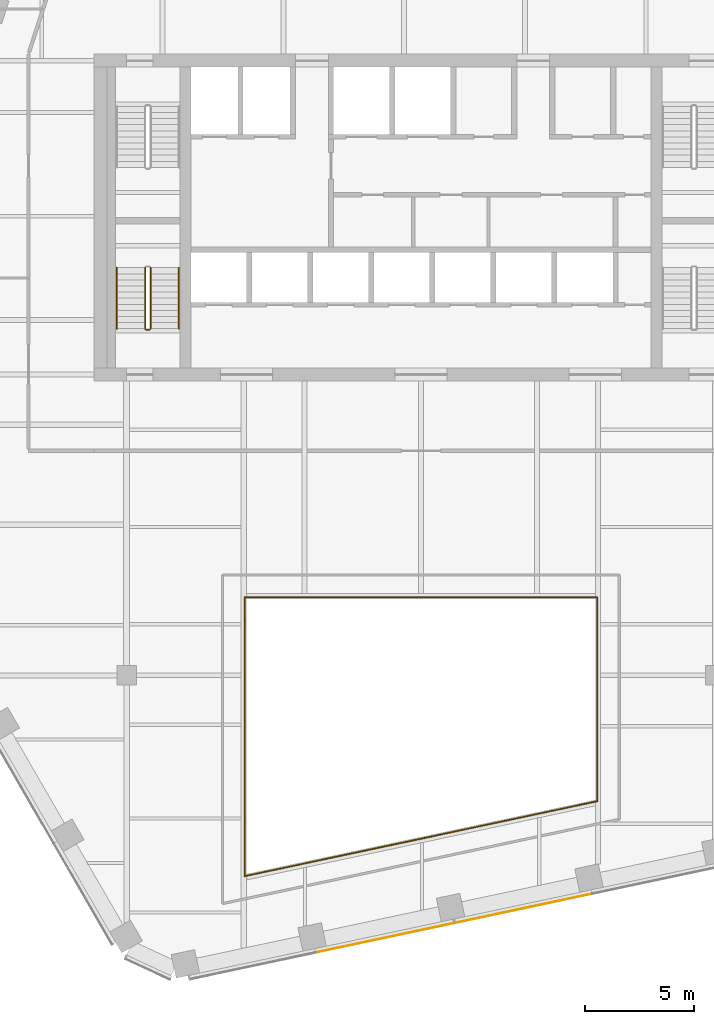
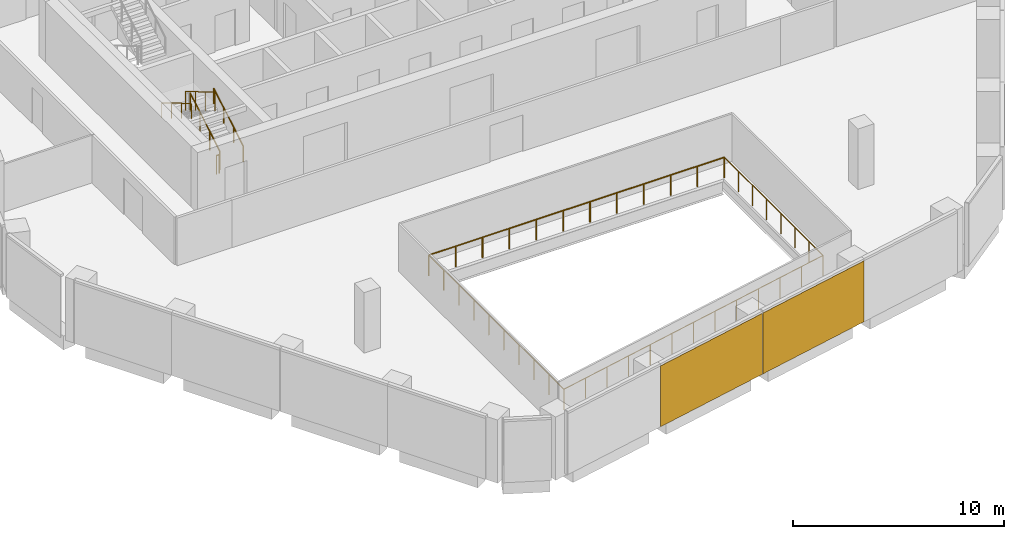
# One storey, part 12 of 15: 9 railings, 2 coverings, 1 element without a shape of its own.
"""IFC4 building model written with IfcOpenShell, lengths in metres."""

import ifcopenshell
import ifcopenshell.guid

model = None  # the IFC model being written
_history = None  # IfcOwnerHistory: only IFC2X3 demands one
_inside = {}  # id of a spatial element -> (the spatial element, [elements in it])
_under = {}  # id of a project, library or spatial element -> (it, [spatial elements below it])
_declared = {}  # id of a project -> (the project, [libraries it declares])
_typed = {}  # id of a type object -> (the type object, [elements of that type])
_made_of = {}  # id of a material, layer set ... -> (it, [elements and type objects made of it])


def new_model(schema):
    """Start an empty IFC model of exactly this schema.

    Asked for "IFC4X3", IfcOpenShell would pick the latest addendum, in which some entities
    have other attributes; the version numbers below select the first issue.
    IFC2X3 requires an IfcOwnerHistory on every rooted entity: one is made here for all.
    """
    global model, _history
    if schema == "IFC4X3":
        model = ifcopenshell.file(schema_version=(4, 3, 0, 0))
    else:
        model = ifcopenshell.file(schema=schema)
    _inside.clear()
    _under.clear()
    _declared.clear()
    _typed.clear()
    _made_of.clear()
    _history = None
    if model.schema == "IFC2X3":
        org = make("IfcOrganization", Name="unknown")
        user = make(
            "IfcPersonAndOrganization",
            ThePerson=make("IfcPerson", FamilyName="unknown"),
            TheOrganization=org,
        )
        app = make(
            "IfcApplication",
            ApplicationDeveloper=org,
            Version="unknown",
            ApplicationFullName="unknown",
            ApplicationIdentifier="unknown",
        )
        _history = make(
            "IfcOwnerHistory",
            OwningUser=user,
            OwningApplication=app,
            ChangeAction="ADDED",
            CreationDate=0,
        )
    return model


def make(cls, **values):
    """One entity of the class cls with the attributes given. An attribute that is None is left unset."""
    return model.create_entity(
        cls, **{name: value for name, value in values.items() if value is not None}
    )


def rooted(cls, **values):
    """An entity with a GlobalId (a new one), such as an element, a storey or a relation."""
    return make(cls, GlobalId=ifcopenshell.guid.new(), OwnerHistory=_history, **values)


def si_unit(unit_type, name, prefix=None):
    """IfcSIUnit, for example si_unit("LENGTHUNIT", "METRE", prefix="MILLI")."""
    return make("IfcSIUnit", UnitType=unit_type, Prefix=prefix, Name=name)


def assignment(units):
    """IfcUnitAssignment: the units of a project."""
    return None if units is None else make("IfcUnitAssignment", Units=units)


def point(xyz):
    """IfcCartesianPoint."""
    return None if xyz is None else make("IfcCartesianPoint", Coordinates=xyz)


def direction(xyz):
    """IfcDirection."""
    return None if xyz is None else make("IfcDirection", DirectionRatios=xyz)


def frame(location, z_axis=None, x_axis=None):
    """IfcAxis2Placement3D, a coordinate frame: its origin and axes. An axis left out is left unset."""
    return make(
        "IfcAxis2Placement3D",
        Location=point(location),
        Axis=direction(z_axis),
        RefDirection=direction(x_axis),
    )


def frame_2d(location, x_axis=None):
    """IfcAxis2Placement2D, a coordinate frame in the plane: its origin and x axis."""
    return make(
        "IfcAxis2Placement2D", Location=point(location), RefDirection=direction(x_axis)
    )


def origin():
    """The frame at (0, 0, 0) with its axes left unset."""
    return frame((0.0, 0.0, 0.0))


def origin_2d():
    """The frame at (0, 0) in the plane with its x axis left unset."""
    return frame_2d((0.0, 0.0))


def place(relative_to, where):
    """IfcLocalPlacement: puts the frame where relative to a parent placement (None: the world)."""
    return make(
        "IfcLocalPlacement", PlacementRelTo=relative_to, RelativePlacement=where
    )


def context(
    kind, dimensions, precision=None, world=None, true_north=None, identifier=None
):
    """IfcGeometricRepresentationContext, for example the 3D "Model" context."""
    return make(
        "IfcGeometricRepresentationContext",
        ContextIdentifier=identifier,
        ContextType=kind,
        CoordinateSpaceDimension=dimensions,
        Precision=precision,
        WorldCoordinateSystem=world,
        TrueNorth=true_north,
    )


def subcontext(parent, identifier, kind, view, scale=None):
    """IfcGeometricRepresentationSubContext, for example "Body" below "Model"."""
    return make(
        "IfcGeometricRepresentationSubContext",
        ContextIdentifier=identifier,
        ContextType=kind,
        ParentContext=parent,
        TargetScale=scale,
        TargetView=view,
    )


def project(units=None, contexts=None):
    """IfcProject with its units and contexts."""
    return rooted(
        "IfcProject",
        Name="project",
        RepresentationContexts=contexts,
        UnitsInContext=assignment(units),
    )


def spatial(cls, under=None, at=None, **own):
    """A site, building, storey or space (cls), placed at a placement, below another one or the project."""
    s = rooted(cls, ObjectPlacement=at, **own)
    if under is not None:
        _under.setdefault(under.id(), (under, []))[1].append(s)
    return s


def profile(cls, at=None, kind="AREA", **sizes):
    """A parametric profile (cls). Its sizes go by their IFC names, for example OverallWidth=200.0."""
    return make(cls, ProfileType=kind, Position=at, **sizes)


def rectangle(**sizes):
    """IfcRectangleProfileDef."""
    return profile("IfcRectangleProfileDef", **sizes)


def circle(**sizes):
    """IfcCircleProfileDef."""
    return profile("IfcCircleProfileDef", **sizes)


def extrude(swept, where, along, depth):
    """IfcExtrudedAreaSolid: the profile swept, set in the frame where, extruded along a direction by depth."""
    return make(
        "IfcExtrudedAreaSolid",
        SweptArea=swept,
        Position=where,
        ExtrudedDirection=direction(along),
        Depth=depth,
    )


def shape(context_of_items, identifier, shape_type, items):
    """IfcShapeRepresentation: the items that make up one representation, for example the "Body"."""
    return make(
        "IfcShapeRepresentation",
        ContextOfItems=context_of_items,
        RepresentationIdentifier=identifier,
        RepresentationType=shape_type,
        Items=items,
    )


def material(Name=None, Category=None):
    """IfcMaterial."""
    return make("IfcMaterial", Name=Name, Category=Category)


def layer(
    of_material, thickness, ventilated=None, Name=None, Category=None, Priority=None
):
    """IfcMaterialLayer: one layer of a wall or slab, of a material (None: an air gap)."""
    return make(
        "IfcMaterialLayer",
        Material=of_material,
        LayerThickness=thickness,
        IsVentilated=ventilated,
        Name=Name,
        Category=Category,
        Priority=Priority,
    )


def layer_set(layers, Name=None):
    """IfcMaterialLayerSet."""
    return make("IfcMaterialLayerSet", MaterialLayers=layers, LayerSetName=Name)


def made_of(thing, what):
    """Note that an element or type object is made of a material, layer set ...; save() writes the relation."""
    if what is not None:
        _made_of.setdefault(what.id(), (what, []))[1].append(thing)
    return thing


def type_object(cls, material=None, **own):
    """A type object (cls), such as IfcWallType, which elements share."""
    return made_of(rooted(cls, **own), material)


def element(
    cls,
    number,
    at=None,
    inside=None,
    cuts=None,
    type_object=None,
    material=None,
    context=None,
    identifier="Body",
    shape_type=None,
    held_by="IfcProductDefinitionShape",
    body=None,
    shapes=None,
    **own,
):
    """One element of the class cls, such as IfcWall. Its Tag is "e" and its number.

    at: its placement. inside: the storey or other place that contains it. cuts: it is an
    opening in that element (IfcRelVoidsElement). A single representation is given by context,
    identifier, shape_type and body (its items); several are given by shapes. held_by: the class
    of the entity that holds the representations. save() writes the other relations.
    """
    e = rooted(cls, Tag="e%d" % number, ObjectPlacement=at, **own)
    if body is not None:
        shapes = [shape(context, identifier, shape_type, body)]
    if shapes is not None:
        e.Representation = make(held_by, Representations=shapes)
    if inside is not None:
        _inside.setdefault(inside.id(), (inside, []))[1].append(e)
    if cuts is not None:
        rooted(
            "IfcRelVoidsElement", RelatingBuildingElement=cuts, RelatedOpeningElement=e
        )
    if type_object is not None:
        _typed.setdefault(type_object.id(), (type_object, []))[1].append(e)
    return made_of(e, material)


def aggregate(whole, parts):
    """IfcRelAggregates: a whole, such as a stair, and the parts it consists of."""
    return rooted("IfcRelAggregates", RelatingObject=whole, RelatedObjects=parts)


def save(model, path):
    """Write the relations noted so far, then the file.

    IfcRelAggregates (storeys below a building ...), IfcRelContainedInSpatialStructure (elements
    in a storey), IfcRelDefinesByType, IfcRelAssociatesMaterial and IfcRelDeclares: one each for
    every whole, place, type object, material and project.
    """
    for whole, parts in _under.values():
        aggregate(whole, parts)
    for where, things in _inside.values():
        rooted(
            "IfcRelContainedInSpatialStructure",
            RelatedElements=things,
            RelatingStructure=where,
        )
    for kind, things in _typed.values():
        rooted("IfcRelDefinesByType", RelatedObjects=things, RelatingType=kind)
    for what, things in _made_of.values():
        rooted("IfcRelAssociatesMaterial", RelatedObjects=things, RelatingMaterial=what)
    for by, libraries in _declared.values():
        rooted("IfcRelDeclares", RelatingContext=by, RelatedDefinitions=libraries)
    model.write(path)


model = new_model("IFC4")

# Units and contexts
model_context = context("Model", 3, precision=1e-05, world=origin(), true_north=direction((0.0, 1.0)))
body_context = subcontext(model_context, "Body", "Model", "MODEL_VIEW")
ifc_project = project(units=[si_unit("LENGTHUNIT", "METRE"), si_unit("AREAUNIT", "SQUARE_METRE"), si_unit("VOLUMEUNIT", "CUBIC_METRE"), si_unit("PLANEANGLEUNIT", "RADIAN"), si_unit("MASSUNIT", "GRAM", prefix="KILO")], contexts=[model_context])

# Site, building, storey
site_placement = place(None, origin())
site = spatial("IfcSite", under=ifc_project, at=site_placement, CompositionType="ELEMENT")
building_placement = place(site_placement, origin())
building = spatial("IfcBuilding", under=site, at=building_placement, Name="Isthmus Gate Tower", CompositionType="ELEMENT")
storey_placement = place(building_placement, frame((0.0, 0.0, 223.60009765625)))
storey = spatial("IfcBuildingStorey", under=building, at=storey_placement, Name="L56", CompositionType="ELEMENT", Elevation=223.60009765625)

# Railings
ifc_material_1 = material(Name="Laminated toughened glass balustrade with steel rail", Category="steel")
railing_type_1 = type_object("IfcRailingType", Name="ATRIUM GUARD GLASS BALUSTRADE 1200", PredefinedType="GUARDRAIL", material=ifc_material_1)
railing_1_placement = place(storey_placement, frame((-8.080078125, -22.7099609375, 0.0)))
element("IfcRailing", 1, at=railing_1_placement, inside=storey, type_object=railing_type_1, Name="L56 atrium guard", PredefinedType="GUARDRAIL", context=body_context, shape_type="SweptSolid", body=[
    extrude(circle(Radius=0.02490234375, at=origin_2d()), frame((0.0, 0.0, 1.1748046875), z_axis=(0.0, 1.0, 0.0), x_axis=(-1.0, 0.0, 0.0)), (0.0, 0.0, 1.0), 12.7900390625),
    extrude(circle(Radius=0.02490234375, at=origin_2d()), origin(), (0.0, 0.0, 1.0), 1.14990234375),
    extrude(circle(Radius=0.02490234375, at=origin_2d()), frame((0.0, 1.421142578125, 0.0)), (0.0, 0.0, 1.0), 1.14990234375),
    extrude(circle(Radius=0.02490234375, at=origin_2d()), frame((0.0, 2.84228515625, 0.0)), (0.0, 0.0, 1.0), 1.14990234375),
    extrude(circle(Radius=0.02490234375, at=origin_2d()), frame((0.0, 4.263427734375, 0.0)), (0.0, 0.0, 1.0), 1.14990234375),
    extrude(circle(Radius=0.02490234375, at=origin_2d()), frame((0.0, 5.6845703125, 0.0)), (0.0, 0.0, 1.0), 1.14990234375),
    extrude(circle(Radius=0.02490234375, at=origin_2d()), frame((0.0, 7.10546875, 0.0)), (0.0, 0.0, 1.0), 1.14990234375),
    extrude(circle(Radius=0.02490234375, at=origin_2d()), frame((0.0, 8.526611328125, 0.0)), (0.0, 0.0, 1.0), 1.14990234375),
    extrude(circle(Radius=0.02490234375, at=origin_2d()), frame((0.0, 9.94775390625, 0.0)), (0.0, 0.0, 1.0), 1.14990234375),
    extrude(circle(Radius=0.02490234375, at=origin_2d()), frame((0.0, 11.368896484375, 0.0)), (0.0, 0.0, 1.0), 1.14990234375),
    extrude(circle(Radius=0.02490234375, at=origin_2d()), frame((0.0, 12.7900390625, 0.0)), (0.0, 0.0, 1.0), 1.14990234375),
])
railing_2_placement = place(storey_placement, frame((-8.080078125, -9.919921875, 0.0)))
element("IfcRailing", 2, at=railing_2_placement, inside=storey, type_object=railing_type_1, Name="L56 atrium guard", PredefinedType="GUARDRAIL", context=body_context, shape_type="SweptSolid", body=[
    extrude(circle(Radius=0.02490234375, at=origin_2d()), frame((0.0, 0.0, 1.1748046875), z_axis=(1.0, 0.0, 0.0), x_axis=(0.0, 1.0, 0.0)), (0.0, 0.0, 1.0), 16.16015625),
    extrude(circle(Radius=0.02490234375, at=origin_2d()), origin(), (0.0, 0.0, 1.0), 1.14990234375),
    extrude(circle(Radius=0.02490234375, at=origin_2d()), frame((1.468994140625, 0.0, 0.0)), (0.0, 0.0, 1.0), 1.14990234375),
    extrude(circle(Radius=0.02490234375, at=origin_2d()), frame((2.938232421875, 0.0, 0.0)), (0.0, 0.0, 1.0), 1.14990234375),
    extrude(circle(Radius=0.02490234375, at=origin_2d()), frame((4.4072265625, 0.0, 0.0)), (0.0, 0.0, 1.0), 1.14990234375),
    extrude(circle(Radius=0.02490234375, at=origin_2d()), frame((5.87646484375, 0.0, 0.0)), (0.0, 0.0, 1.0), 1.14990234375),
    extrude(circle(Radius=0.02490234375, at=origin_2d()), frame((7.345458984375, 0.0, 0.0)), (0.0, 0.0, 1.0), 1.14990234375),
    extrude(circle(Radius=0.02490234375, at=origin_2d()), frame((8.814697265625, 0.0, 0.0)), (0.0, 0.0, 1.0), 1.14990234375),
    extrude(circle(Radius=0.02490234375, at=origin_2d()), frame((10.28369140625, 0.0, 0.0)), (0.0, 0.0, 1.0), 1.14990234375),
    extrude(circle(Radius=0.02490234375, at=origin_2d()), frame((11.7529296875, 0.0, 0.0)), (0.0, 0.0, 1.0), 1.14990234375),
    extrude(circle(Radius=0.02490234375, at=origin_2d()), frame((13.221923828125, 0.0, 0.0)), (0.0, 0.0, 1.0), 1.14990234375),
    extrude(circle(Radius=0.02490234375, at=origin_2d()), frame((14.691162109375, 0.0, 0.0)), (0.0, 0.0, 1.0), 1.14990234375),
    extrude(circle(Radius=0.02490234375, at=origin_2d()), frame((16.16015625, 0.0, 0.0)), (0.0, 0.0, 1.0), 1.14990234375),
])
railing_3_placement = place(storey_placement, frame((8.080078125, -9.919921875, 0.0)))
element("IfcRailing", 3, at=railing_3_placement, inside=storey, type_object=railing_type_1, Name="L56 atrium guard", PredefinedType="GUARDRAIL", context=body_context, shape_type="SweptSolid", body=[
    extrude(circle(Radius=0.02490234375, at=origin_2d()), frame((0.0, 0.0, 1.1748046875), z_axis=(0.0, -1.0, 0.0), x_axis=(1.0, 0.0, 0.0)), (0.0, 0.0, 1.0), 9.35498046875),
    extrude(circle(Radius=0.02490234375, at=origin_2d()), origin(), (0.0, 0.0, 1.0), 1.14990234375),
    extrude(circle(Radius=0.02490234375, at=origin_2d()), frame((0.0, -1.33642578125, 0.0)), (0.0, 0.0, 1.0), 1.14990234375),
    extrude(circle(Radius=0.02490234375, at=origin_2d()), frame((0.0, -2.6728515625, 0.0)), (0.0, 0.0, 1.0), 1.14990234375),
    extrude(circle(Radius=0.02490234375, at=origin_2d()), frame((0.0, -4.00927734375, 0.0)), (0.0, 0.0, 1.0), 1.14990234375),
    extrude(circle(Radius=0.02490234375, at=origin_2d()), frame((0.0, -5.345703125, 0.0)), (0.0, 0.0, 1.0), 1.14990234375),
    extrude(circle(Radius=0.02490234375, at=origin_2d()), frame((0.0, -6.68212890625, 0.0)), (0.0, 0.0, 1.0), 1.14990234375),
    extrude(circle(Radius=0.02490234375, at=origin_2d()), frame((0.0, -8.0185546875, 0.0)), (0.0, 0.0, 1.0), 1.14990234375),
    extrude(circle(Radius=0.02490234375, at=origin_2d()), frame((0.0, -9.35498046875, 0.0)), (0.0, 0.0, 1.0), 1.14990234375),
])
railing_4_placement = place(storey_placement, frame((8.080078125, -19.27490234375, 0.0)))
element("IfcRailing", 4, at=railing_4_placement, inside=storey, type_object=railing_type_1, Name="L56 atrium guard", PredefinedType="GUARDRAIL", context=body_context, shape_type="SweptSolid", body=[
    extrude(circle(Radius=0.02490234375, at=origin_2d()), frame((0.0, 0.0, 1.1748046875), z_axis=(-0.978146230105, -0.207918139013, 0.0), x_axis=(0.207918139013, -0.978146230105, 0.0)), (0.0, 0.0, 1.0), 16.521240234375),
    extrude(circle(Radius=0.02490234375, at=origin_2d()), origin(), (0.0, 0.0, 1.0), 1.14990234375),
    extrude(circle(Radius=0.02490234375, at=origin_2d()), frame((-1.3466796875, -0.2861328125, 0.0)), (0.0, 0.0, 1.0), 1.14990234375),
    extrude(circle(Radius=0.02490234375, at=origin_2d()), frame((-2.693359375, -0.572509765625, 0.0)), (0.0, 0.0, 1.0), 1.14990234375),
    extrude(circle(Radius=0.02490234375, at=origin_2d()), frame((-4.0400390625, -0.85888671875, 0.0)), (0.0, 0.0, 1.0), 1.14990234375),
    extrude(circle(Radius=0.02490234375, at=origin_2d()), frame((-5.38671875, -1.14501953125, 0.0)), (0.0, 0.0, 1.0), 1.14990234375),
    extrude(circle(Radius=0.02490234375, at=origin_2d()), frame((-6.7333984375, -1.43115234375, 0.0)), (0.0, 0.0, 1.0), 1.14990234375),
    extrude(circle(Radius=0.02490234375, at=origin_2d()), frame((-8.080078125, -1.717529296875, 0.0)), (0.0, 0.0, 1.0), 1.14990234375),
    extrude(circle(Radius=0.02490234375, at=origin_2d()), frame((-9.4267578125, -2.00390625, 0.0)), (0.0, 0.0, 1.0), 1.14990234375),
    extrude(circle(Radius=0.02490234375, at=origin_2d()), frame((-10.7734375, -2.2900390625, 0.0)), (0.0, 0.0, 1.0), 1.14990234375),
    extrude(circle(Radius=0.02490234375, at=origin_2d()), frame((-12.1201171875, -2.576171875, 0.0)), (0.0, 0.0, 1.0), 1.14990234375),
    extrude(circle(Radius=0.02490234375, at=origin_2d()), frame((-13.466796875, -2.862548828125, 0.0)), (0.0, 0.0, 1.0), 1.14990234375),
    extrude(circle(Radius=0.02490234375, at=origin_2d()), frame((-14.8134765625, -3.14892578125, 0.0)), (0.0, 0.0, 1.0), 1.14990234375),
    extrude(circle(Radius=0.02490234375, at=origin_2d()), frame((-16.16015625, -3.43505859375, 0.0)), (0.0, 0.0, 1.0), 1.14990234375),
])

# Curtain wall, coverings
ifc_material_2 = material(Name="Aluminium, pale champagne anodised", Category="aluminium")
ifc_layer_1 = layer(ifc_material_2, 0.199951171875)
ifc_layer_set_1 = layer_set([ifc_layer_1], Name="CW-1 UNITISED CURTAIN WALL 200 DEEP")
curtain_wall_type = type_object("IfcCurtainWallType", Name="CW-1 UNITISED CURTAIN WALL 200 DEEP", PredefinedType="NOTDEFINED", material=ifc_layer_set_1)
curtain_wall_placement = place(storey_placement, origin())
curtain_wall = element("IfcCurtainWall", 5, at=curtain_wall_placement, inside=storey, type_object=curtain_wall_type, Name="CW-1 S L56", PredefinedType="NOTDEFINED")
ifc_material_3 = material(Name="Aluminium composite panel, pale champagne anodised", Category="aluminium")
ifc_layer_2 = layer(ifc_material_3, 0.031982421875)
ifc_layer_set_2 = layer_set([ifc_layer_2], Name="CW-1 PALE METAL PANEL 32")
covering_type = type_object("IfcCoveringType", Name="CW-1 PALE METAL PANEL 32", PredefinedType="CLADDING", material=ifc_layer_set_2)
covering_1_placement = place(storey_placement, frame((-1.66259765625, -25.54150390625, 0.0), z_axis=(0.0, 0.0, 1.0), x_axis=(0.978147600734, 0.207911690818, 0.0)))
covering_1 = element("IfcCovering", 6, at=covering_1_placement, type_object=covering_type, Name="CW-1 pale metal panel", PredefinedType="CLADDING", context=body_context, shape_type="SweptSolid", body=[
    extrude(rectangle(XDim=6.491943359375, YDim=0.031982421875, at=origin_2d()), origin(), (0.0, 0.0, 1.0), 3.52001953125),
])
covering_2_placement = place(storey_placement, frame((4.716796875, -24.185546875, 0.0), z_axis=(0.0, 0.0, 1.0), x_axis=(0.978147600734, 0.207911690818, 0.0)))
covering_2 = element("IfcCovering", 7, at=covering_2_placement, type_object=covering_type, Name="CW-1 pale metal panel", PredefinedType="CLADDING", context=body_context, shape_type="SweptSolid", body=[
    extrude(rectangle(XDim=6.431884765625, YDim=0.031982421875, at=origin_2d()), origin(), (0.0, 0.0, 1.0), 3.52001953125),
])
aggregate(curtain_wall, [covering_1, covering_2])

# Railings
ifc_material_4 = material(Name="Stainless steel balustrade", Category="steel")
railing_type_2 = type_object("IfcRailingType", Name="STAIR GUARD 1100", PredefinedType="GUARDRAIL", material=ifc_material_4)
railing_5_placement = place(storey_placement, frame((-12.39990234375, 2.39990234375, 0.165771484375)))
element("IfcRailing", 8, at=railing_5_placement, inside=storey, type_object=railing_type_2, Name="L56 ST7 stair guard 1", PredefinedType="GUARDRAIL", context=body_context, shape_type="SweptSolid", body=[
    extrude(circle(Radius=0.02392578125, at=origin_2d()), frame((0.0, 0.0, 1.076171875), z_axis=(0.0, 0.860306154799, 0.50977771628), x_axis=(-1.0, 0.0, 0.0)), (0.0, 0.0, 1.0), 3.254638671875),
    extrude(circle(Radius=0.02099609375, at=origin_2d()), origin(), (0.0, 0.0, 1.0), 1.052001953125),
    extrude(circle(Radius=0.02099609375, at=origin_2d()), frame((0.0, 0.933349609375, 0.552978515625)), (0.0, 0.0, 1.0), 1.052001953125),
    extrude(circle(Radius=0.02099609375, at=origin_2d()), frame((0.0, 1.86669921875, 1.106201171875)), (0.0, 0.0, 1.0), 1.052001953125),
    extrude(circle(Radius=0.02099609375, at=origin_2d()), frame((0.0, 2.800048828125, 1.6591796875)), (0.0, 0.0, 1.0), 1.052001953125),
])
railing_6_placement = place(storey_placement, frame((-12.64990234375, 5.199951171875, 1.99072265625)))
element("IfcRailing", 9, at=railing_6_placement, inside=storey, type_object=railing_type_2, Name="L56 ST7 stair guard 3", PredefinedType="GUARDRAIL", context=body_context, shape_type="SweptSolid", body=[
    extrude(circle(Radius=0.02392578125, at=origin_2d()), frame((0.0, 0.0, 1.076171875), z_axis=(0.0, -0.860306154799, 0.50977771628), x_axis=(1.0, 0.0, 0.0)), (0.0, 0.0, 1.0), 3.254638671875),
    extrude(circle(Radius=0.02099609375, at=origin_2d()), origin(), (0.0, 0.0, 1.0), 1.052001953125),
    extrude(circle(Radius=0.02099609375, at=origin_2d()), frame((0.0, -0.933349609375, 0.552978515625)), (0.0, 0.0, 1.0), 1.052001953125),
    extrude(circle(Radius=0.02099609375, at=origin_2d()), frame((0.0, -1.86669921875, 1.106201171875)), (0.0, 0.0, 1.0), 1.052001953125),
    extrude(circle(Radius=0.02099609375, at=origin_2d()), frame((0.0, -2.800048828125, 1.6591796875)), (0.0, 0.0, 1.0), 1.052001953125),
])
railing_7_placement = place(storey_placement, frame((-12.449951171875, 2.35009765625, 0.0)))
element("IfcRailing", 10, at=railing_7_placement, inside=storey, type_object=railing_type_2, Name="L56 ST7 stair guard 4", PredefinedType="GUARDRAIL", context=body_context, shape_type="SweptSolid", body=[
    extrude(circle(Radius=0.02392578125, at=origin_2d()), frame((0.0, 0.0, 1.076171875), z_axis=(-1.0, 0.0, 0.0), x_axis=(0.0, -1.0, 0.0)), (0.0, 0.0, 1.0), 0.150146484375),
    extrude(circle(Radius=0.02099609375, at=origin_2d()), origin(), (0.0, 0.0, 1.0), 1.052001953125),
    extrude(circle(Radius=0.02099609375, at=origin_2d()), frame((-0.150146484375, 0.0, 0.0)), (0.0, 0.0, 1.0), 1.052001953125),
])
ifc_material_5 = material(Name="Stainless steel handrail", Category="steel")
railing_type_3 = type_object("IfcRailingType", Name="STAIR HANDRAIL 900", PredefinedType="HANDRAIL", material=ifc_material_5)
railing_8_placement = place(storey_placement, frame((-11.10009765625, 2.39990234375, 0.165771484375)))
element("IfcRailing", 11, at=railing_8_placement, inside=storey, type_object=railing_type_3, Name="L56 ST7 stair handrail 1", PredefinedType="HANDRAIL", context=body_context, shape_type="SweptSolid", body=[
    extrude(circle(Radius=0.02392578125, at=origin_2d()), frame((0.0, 0.0, 0.8759765625), z_axis=(0.0, 0.860306154799, 0.50977771628), x_axis=(-1.0, 0.0, 0.0)), (0.0, 0.0, 1.0), 3.254638671875),
    extrude(circle(Radius=0.02099609375, at=origin_2d()), origin(), (0.0, 0.0, 1.0), 0.851806640625),
    extrude(circle(Radius=0.02099609375, at=origin_2d()), frame((0.0, 0.933349609375, 0.552978515625)), (0.0, 0.0, 1.0), 0.851806640625),
    extrude(circle(Radius=0.02099609375, at=origin_2d()), frame((0.0, 1.86669921875, 1.106201171875)), (0.0, 0.0, 1.0), 0.851806640625),
    extrude(circle(Radius=0.02099609375, at=origin_2d()), frame((0.0, 2.800048828125, 1.6591796875)), (0.0, 0.0, 1.0), 0.851806640625),
])
railing_9_placement = place(storey_placement, frame((-13.949951171875, 5.199951171875, 1.99072265625)))
element("IfcRailing", 12, at=railing_9_placement, inside=storey, type_object=railing_type_3, Name="L56 ST7 stair handrail 2", PredefinedType="HANDRAIL", context=body_context, shape_type="SweptSolid", body=[
    extrude(circle(Radius=0.02392578125, at=origin_2d()), frame((0.0, 0.0, 0.8759765625), z_axis=(0.0, -0.860306154799, 0.50977771628), x_axis=(1.0, 0.0, 0.0)), (0.0, 0.0, 1.0), 3.254638671875),
    extrude(circle(Radius=0.02099609375, at=origin_2d()), origin(), (0.0, 0.0, 1.0), 0.851806640625),
    extrude(circle(Radius=0.02099609375, at=origin_2d()), frame((0.0, -0.933349609375, 0.552978515625)), (0.0, 0.0, 1.0), 0.851806640625),
    extrude(circle(Radius=0.02099609375, at=origin_2d()), frame((0.0, -1.86669921875, 1.106201171875)), (0.0, 0.0, 1.0), 0.851806640625),
    extrude(circle(Radius=0.02099609375, at=origin_2d()), frame((0.0, -2.800048828125, 1.6591796875)), (0.0, 0.0, 1.0), 0.851806640625),
])

save(model, "model.ifc")
